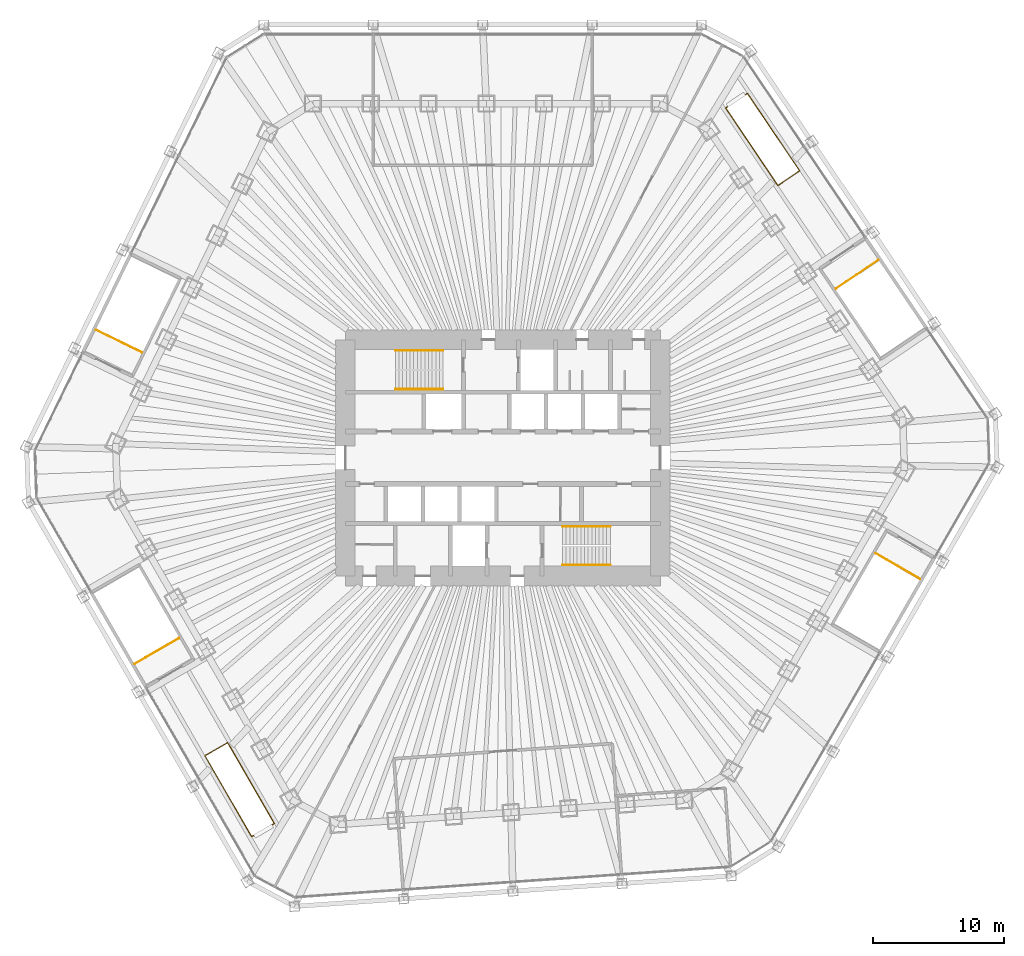
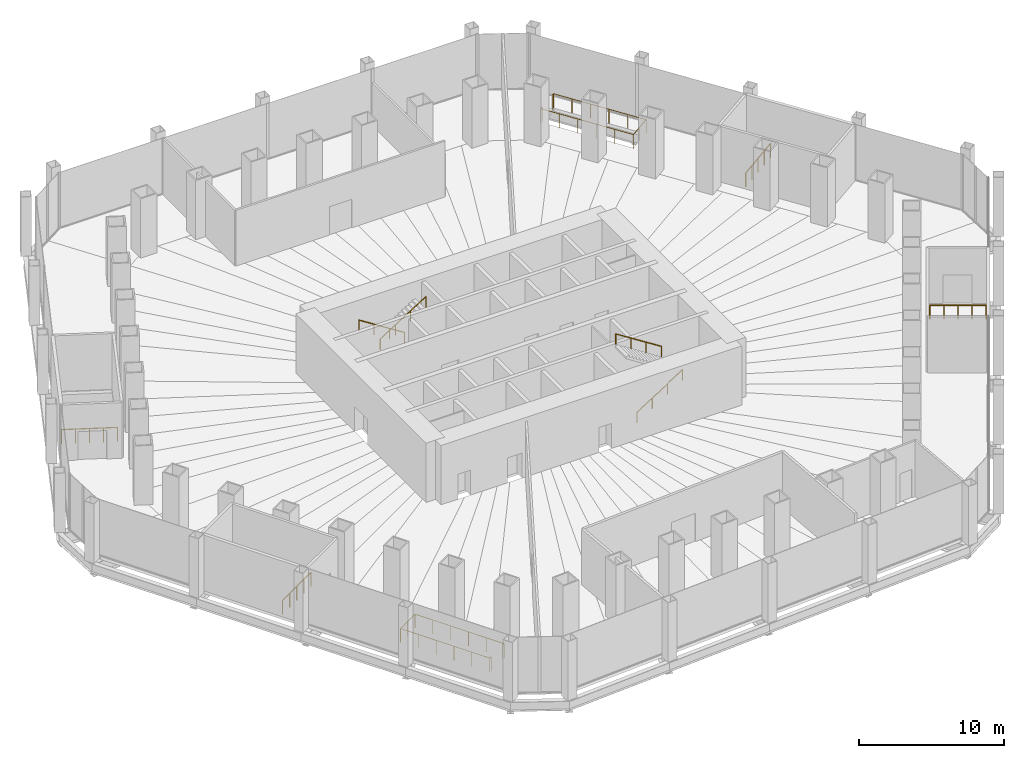
# One storey, part 18 of 18: 10 railings.
"""IFC4 building model written with IfcOpenShell, lengths in metres."""

from ifc_helpers import new_model, si_unit, direction, frame, origin, origin_2d, place, context, subcontext, project, spatial, circle, extrude, material, type_object, element, save


model = new_model("IFC4")

# Units and contexts
model_context = context("Model", 3, precision=1e-05, world=origin(), true_north=direction((0.0, 1.0)))
body_context = subcontext(model_context, "Body", "Model", "MODEL_VIEW")
ifc_project = project(units=[si_unit("LENGTHUNIT", "METRE"), si_unit("AREAUNIT", "SQUARE_METRE"), si_unit("VOLUMEUNIT", "CUBIC_METRE"), si_unit("PLANEANGLEUNIT", "RADIAN"), si_unit("MASSUNIT", "GRAM", prefix="KILO")], contexts=[model_context])

# Site, building, storey
site_placement = place(None, origin())
site = spatial("IfcSite", under=ifc_project, at=site_placement, CompositionType="ELEMENT")
building_placement = place(site_placement, origin())
building = spatial("IfcBuilding", under=site, at=building_placement, Name="Qingtian Harvest Tower", CompositionType="ELEMENT")
storey_placement = place(building_placement, frame((0.0, 0.0, 12.0)))
storey = spatial("IfcBuildingStorey", under=building, at=storey_placement, Name="L02", CompositionType="ELEMENT", Elevation=12.0)

# Railings
ifc_material_1 = material(Name="Laminated glass balustrade with steel handrail", Category="steel")
railing_type_1 = type_object("IfcRailingType", Name="Glass balustrade BG1 1200", PredefinedType="BALUSTRADE", material=ifc_material_1)
railing_1_placement = place(storey_placement, frame((17.15625, 26.771484375, 0.0)))
element("IfcRailing", 1, at=railing_1_placement, inside=storey, type_object=railing_type_1, Name="Feature stair opening guard FS3", PredefinedType="BALUSTRADE", context=body_context, shape_type="SweptSolid", body=[
    extrude(circle(Radius=0.02392578125, at=origin_2d()), frame((0.0, 0.0, 1.17578125), z_axis=(-0.829032638423, -0.559200218553, 0.0), x_axis=(0.559200218553, -0.829032638423, 0.0)), (0.0, 0.0, 1.0), 0.199951171875),
    extrude(circle(Radius=0.02392578125, at=origin_2d()), frame((-0.165771484375, -0.11181640625, 1.17578125), z_axis=(0.559185029686, -0.829042883435, 0.0), x_axis=(0.829042883435, 0.559185029686, 0.0)), (0.0, 0.0, 1.0), 7.110107421875),
    extrude(circle(Radius=0.02392578125, at=origin_2d()), frame((3.81005859375, -6.00634765625, 1.17578125), z_axis=(0.829052389485, 0.559170935841, 0.0), x_axis=(-0.559170935841, 0.829052389485, 0.0)), (0.0, 0.0, 1.0), 2.0),
    extrude(circle(Radius=0.02392578125, at=origin_2d()), frame((5.46826171875, -4.887939453125, 1.17578125), z_axis=(-0.559208629537, 0.829026964972, 0.0), x_axis=(-0.829026964972, -0.559208629537, 0.0)), (0.0, 0.0, 1.0), 7.110107421875),
    extrude(circle(Radius=0.02392578125, at=origin_2d()), frame((1.4921875, 1.006591796875, 1.17578125), z_axis=(-0.828466569006, -0.560038520138, 0.0), x_axis=(0.560038520138, -0.828466569006, 0.0)), (0.0, 0.0, 1.0), 0.2001953125),
    extrude(circle(Radius=0.02099609375, at=origin_2d()), origin(), (0.0, 0.0, 1.0), 1.15185546875),
    extrude(circle(Radius=0.02099609375, at=origin_2d()), frame((-0.165771484375, -0.11181640625, 0.0)), (0.0, 0.0, 1.0), 1.15185546875),
    extrude(circle(Radius=0.02099609375, at=origin_2d()), frame((0.62939453125, -1.290771484375, 0.0)), (0.0, 0.0, 1.0), 1.15185546875),
    extrude(circle(Radius=0.02099609375, at=origin_2d()), frame((1.424560546875, -2.4697265625, 0.0)), (0.0, 0.0, 1.0), 1.15185546875),
    extrude(circle(Radius=0.02099609375, at=origin_2d()), frame((2.2197265625, -3.6484375, 0.0)), (0.0, 0.0, 1.0), 1.15185546875),
    extrude(circle(Radius=0.02099609375, at=origin_2d()), frame((3.014892578125, -4.827392578125, 0.0)), (0.0, 0.0, 1.0), 1.15185546875),
    extrude(circle(Radius=0.02099609375, at=origin_2d()), frame((3.81005859375, -6.00634765625, 0.0)), (0.0, 0.0, 1.0), 1.15185546875),
    extrude(circle(Radius=0.02099609375, at=origin_2d()), frame((4.63916015625, -5.447265625, 0.0)), (0.0, 0.0, 1.0), 1.15185546875),
    extrude(circle(Radius=0.02099609375, at=origin_2d()), frame((5.46826171875, -4.887939453125, 0.0)), (0.0, 0.0, 1.0), 1.15185546875),
    extrude(circle(Radius=0.02099609375, at=origin_2d()), frame((4.673095703125, -3.708984375, 0.0)), (0.0, 0.0, 1.0), 1.15185546875),
    extrude(circle(Radius=0.02099609375, at=origin_2d()), frame((3.8779296875, -2.530029296875, 0.0)), (0.0, 0.0, 1.0), 1.15185546875),
    extrude(circle(Radius=0.02099609375, at=origin_2d()), frame((3.08251953125, -1.351318359375, 0.0)), (0.0, 0.0, 1.0), 1.15185546875),
    extrude(circle(Radius=0.02099609375, at=origin_2d()), frame((2.287353515625, -0.17236328125, 0.0)), (0.0, 0.0, 1.0), 1.15185546875),
    extrude(circle(Radius=0.02099609375, at=origin_2d()), frame((1.4921875, 1.006591796875, 0.0)), (0.0, 0.0, 1.0), 1.15185546875),
    extrude(circle(Radius=0.02099609375, at=origin_2d()), frame((1.326416015625, 0.89453125, 0.0)), (0.0, 0.0, 1.0), 1.15185546875),
])
railing_2_placement = place(storey_placement, frame((-17.59228515625, -27.9658203125, 0.0)))
element("IfcRailing", 2, at=railing_2_placement, inside=storey, type_object=railing_type_1, Name="Feature stair opening guard FS4", PredefinedType="BALUSTRADE", context=body_context, shape_type="SweptSolid", body=[
    extrude(circle(Radius=0.02392578125, at=origin_2d()), frame((0.0, 0.0, 1.17578125), z_axis=(0.866510491504, 0.499158860599, 0.0), x_axis=(-0.499158860599, 0.866510491504, 0.0)), (0.0, 0.0, 1.0), 0.199951171875),
    extrude(circle(Radius=0.02392578125, at=origin_2d()), frame((0.17333984375, 0.099853515625, 1.17578125), z_axis=(-0.499990956993, 0.866030624704, 0.0), x_axis=(-0.866030624704, -0.499990956993, 0.0)), (0.0, 0.0, 1.0), 7.110107421875),
    extrude(circle(Radius=0.02392578125, at=origin_2d()), frame((-3.381591796875, 6.25732421875, 1.17578125), z_axis=(-0.866041268327, -0.499972520799, 0.0), x_axis=(0.499972520799, -0.866041268327, 0.0)), (0.0, 0.0, 1.0), 2.0),
    extrude(circle(Radius=0.02392578125, at=origin_2d()), frame((-5.11376953125, 5.25732421875, 1.17578125), z_axis=(0.499990956993, -0.866030624704, 0.0), x_axis=(0.866030624704, 0.499990956993, 0.0)), (0.0, 0.0, 1.0), 7.110107421875),
    extrude(circle(Radius=0.02392578125, at=origin_2d()), frame((-1.558837890625, -0.900146484375, 1.17578125), z_axis=(0.865982457891, 0.500074377092, 0.0), x_axis=(-0.500074377092, 0.865982457891, 0.0)), (0.0, 0.0, 1.0), 0.2001953125),
    extrude(circle(Radius=0.02099609375, at=origin_2d()), origin(), (0.0, 0.0, 1.0), 1.15185546875),
    extrude(circle(Radius=0.02099609375, at=origin_2d()), frame((0.17333984375, 0.099853515625, 0.0)), (0.0, 0.0, 1.0), 1.15185546875),
    extrude(circle(Radius=0.02099609375, at=origin_2d()), frame((-0.53759765625, 1.331298828125, 0.0)), (0.0, 0.0, 1.0), 1.15185546875),
    extrude(circle(Radius=0.02099609375, at=origin_2d()), frame((-1.24853515625, 2.562744140625, 0.0)), (0.0, 0.0, 1.0), 1.15185546875),
    extrude(circle(Radius=0.02099609375, at=origin_2d()), frame((-1.959716796875, 3.79443359375, 0.0)), (0.0, 0.0, 1.0), 1.15185546875),
    extrude(circle(Radius=0.02099609375, at=origin_2d()), frame((-2.670654296875, 5.02587890625, 0.0)), (0.0, 0.0, 1.0), 1.15185546875),
    extrude(circle(Radius=0.02099609375, at=origin_2d()), frame((-3.381591796875, 6.25732421875, 0.0)), (0.0, 0.0, 1.0), 1.15185546875),
    extrude(circle(Radius=0.02099609375, at=origin_2d()), frame((-4.24755859375, 5.75732421875, 0.0)), (0.0, 0.0, 1.0), 1.15185546875),
    extrude(circle(Radius=0.02099609375, at=origin_2d()), frame((-5.11376953125, 5.25732421875, 0.0)), (0.0, 0.0, 1.0), 1.15185546875),
    extrude(circle(Radius=0.02099609375, at=origin_2d()), frame((-4.40283203125, 4.02587890625, 0.0)), (0.0, 0.0, 1.0), 1.15185546875),
    extrude(circle(Radius=0.02099609375, at=origin_2d()), frame((-3.69189453125, 2.79443359375, 0.0)), (0.0, 0.0, 1.0), 1.15185546875),
    extrude(circle(Radius=0.02099609375, at=origin_2d()), frame((-2.980712890625, 1.562744140625, 0.0)), (0.0, 0.0, 1.0), 1.15185546875),
    extrude(circle(Radius=0.02099609375, at=origin_2d()), frame((-2.269775390625, 0.331298828125, 0.0)), (0.0, 0.0, 1.0), 1.15185546875),
    extrude(circle(Radius=0.02099609375, at=origin_2d()), frame((-1.558837890625, -0.900146484375, 0.0)), (0.0, 0.0, 1.0), 1.15185546875),
    extrude(circle(Radius=0.02099609375, at=origin_2d()), frame((-1.385498046875, -0.800048828125, 0.0)), (0.0, 0.0, 1.0), 1.15185546875),
])
ifc_material_2 = material(Name="Bronze-finished steel guard", Category="steel")
railing_type_2 = type_object("IfcRailingType", Name="Guard GR1 1200", PredefinedType="GUARDRAIL", material=ifc_material_2)
railing_3_placement = place(storey_placement, frame((28.61474609375, 15.070556640625, 0.0)))
element("IfcRailing", 3, at=railing_3_placement, inside=storey, type_object=railing_type_2, Name="Guard GR1 L02", PredefinedType="GUARDRAIL", context=body_context, shape_type="SweptSolid", body=[
    extrude(circle(Radius=0.02392578125, at=origin_2d()), frame((0.0, 0.0, 1.17578125), z_axis=(-0.829023534375, -0.559213715365, 0.0), x_axis=(0.559213715365, -0.829023534375, 0.0)), (0.0, 0.0, 1.0), 3.89990234375),
    extrude(circle(Radius=0.02099609375, at=origin_2d()), origin(), (0.0, 0.0, 1.0), 1.15185546875),
    extrude(circle(Radius=0.02099609375, at=origin_2d()), frame((-0.808349609375, -0.545166015625, 0.0)), (0.0, 0.0, 1.0), 1.15185546875),
    extrude(circle(Radius=0.02099609375, at=origin_2d()), frame((-1.61669921875, -1.09033203125, 0.0)), (0.0, 0.0, 1.0), 1.15185546875),
    extrude(circle(Radius=0.02099609375, at=origin_2d()), frame((-2.4248046875, -1.6357421875, 0.0)), (0.0, 0.0, 1.0), 1.15185546875),
    extrude(circle(Radius=0.02099609375, at=origin_2d()), frame((-3.233154296875, -2.180908203125, 0.0)), (0.0, 0.0, 1.0), 1.15185546875),
])
railing_4_placement = place(storey_placement, frame((31.797119140625, -9.2255859375, 0.0)))
element("IfcRailing", 4, at=railing_4_placement, inside=storey, type_object=railing_type_2, Name="Guard GR1 L02", PredefinedType="GUARDRAIL", context=body_context, shape_type="SweptSolid", body=[
    extrude(circle(Radius=0.02392578125, at=origin_2d()), frame((0.0, 0.0, 1.17578125), z_axis=(-0.866027128446, 0.499997012787, 0.0), x_axis=(-0.499997012787, -0.866027128446, 0.0)), (0.0, 0.0, 1.0), 3.89990234375),
    extrude(circle(Radius=0.02099609375, at=origin_2d()), origin(), (0.0, 0.0, 1.0), 1.15185546875),
    extrude(circle(Radius=0.02099609375, at=origin_2d()), frame((-0.84423828125, 0.487548828125, 0.0)), (0.0, 0.0, 1.0), 1.15185546875),
    extrude(circle(Radius=0.02099609375, at=origin_2d()), frame((-1.688720703125, 0.97509765625, 0.0)), (0.0, 0.0, 1.0), 1.15185546875),
    extrude(circle(Radius=0.02099609375, at=origin_2d()), frame((-2.533203125, 1.46240234375, 0.0)), (0.0, 0.0, 1.0), 1.15185546875),
    extrude(circle(Radius=0.02099609375, at=origin_2d()), frame((-3.37744140625, 1.949951171875, 0.0)), (0.0, 0.0, 1.0), 1.15185546875),
])
railing_5_placement = place(storey_placement, frame((-28.05908203125, -15.7001953125, 0.0)))
element("IfcRailing", 5, at=railing_5_placement, inside=storey, type_object=railing_type_2, Name="Guard GR1 L02", PredefinedType="GUARDRAIL", context=body_context, shape_type="SweptSolid", body=[
    extrude(circle(Radius=0.02392578125, at=origin_2d()), frame((0.0, 0.0, 1.17578125), z_axis=(0.866027128446, 0.499997012787, 0.0), x_axis=(-0.499997012787, 0.866027128446, 0.0)), (0.0, 0.0, 1.0), 3.89990234375),
    extrude(circle(Radius=0.02099609375, at=origin_2d()), origin(), (0.0, 0.0, 1.0), 1.15185546875),
    extrude(circle(Radius=0.02099609375, at=origin_2d()), frame((0.84423828125, 0.487548828125, 0.0)), (0.0, 0.0, 1.0), 1.15185546875),
    extrude(circle(Radius=0.02099609375, at=origin_2d()), frame((1.688720703125, 0.97509765625, 0.0)), (0.0, 0.0, 1.0), 1.15185546875),
    extrude(circle(Radius=0.02099609375, at=origin_2d()), frame((2.533203125, 1.46240234375, 0.0)), (0.0, 0.0, 1.0), 1.15185546875),
    extrude(circle(Radius=0.02099609375, at=origin_2d()), frame((3.37744140625, 1.949951171875, 0.0)), (0.0, 0.0, 1.0), 1.15185546875),
])
railing_6_placement = place(storey_placement, frame((-31.015625, 9.748291015625, 0.0)))
element("IfcRailing", 6, at=railing_6_placement, inside=storey, type_object=railing_type_2, Name="Guard GR1 L02", PredefinedType="GUARDRAIL", context=body_context, shape_type="SweptSolid", body=[
    extrude(circle(Radius=0.02392578125, at=origin_2d()), frame((0.0, 0.0, 1.17578125), z_axis=(0.898790704439, -0.438377998551, 0.0), x_axis=(0.438377998551, 0.898790704439, 0.0)), (0.0, 0.0, 1.0), 3.900146484375),
    extrude(circle(Radius=0.02099609375, at=origin_2d()), origin(), (0.0, 0.0, 1.0), 1.15185546875),
    extrude(circle(Radius=0.02099609375, at=origin_2d()), frame((0.87646484375, -0.427490234375, 0.0)), (0.0, 0.0, 1.0), 1.15185546875),
    extrude(circle(Radius=0.02099609375, at=origin_2d()), frame((1.752685546875, -0.85498046875, 0.0)), (0.0, 0.0, 1.0), 1.15185546875),
    extrude(circle(Radius=0.02099609375, at=origin_2d()), frame((2.62890625, -1.2822265625, 0.0)), (0.0, 0.0, 1.0), 1.15185546875),
    extrude(circle(Radius=0.02099609375, at=origin_2d()), frame((3.50537109375, -1.709716796875, 0.0)), (0.0, 0.0, 1.0), 1.15185546875),
])
ifc_material_3 = material(Name="Stainless steel handrail", Category="steel")
railing_type_3 = type_object("IfcRailingType", Name="Handrail HR1", PredefinedType="HANDRAIL", material=ifc_material_3)
railing_7_placement = place(storey_placement, frame((-4.550048828125, 8.169921875, 0.178466796875)))
element("IfcRailing", 7, at=railing_7_placement, inside=storey, type_object=railing_type_3, Name="Handrail HR1 S1 flight 1", PredefinedType="HANDRAIL", context=body_context, shape_type="SweptSolid", body=[
    extrude(circle(Radius=0.02392578125, at=origin_2d()), frame((0.0, 0.0, 0.8759765625), z_axis=(-0.843111507901, 0.0, 0.53773877045), x_axis=(0.0, -1.0, 0.0)), (0.0, 0.0, 1.0), 4.317138671875),
    extrude(circle(Radius=0.02099609375, at=origin_2d()), origin(), (0.0, 0.0, 1.0), 0.851806640625),
    extrude(circle(Radius=0.02099609375, at=origin_2d()), frame((-1.21337890625, 0.0, 0.77392578125)), (0.0, 0.0, 1.0), 0.851806640625),
    extrude(circle(Radius=0.02099609375, at=origin_2d()), frame((-2.426513671875, 0.0, 1.547607421875)), (0.0, 0.0, 1.0), 0.851806640625),
    extrude(circle(Radius=0.02099609375, at=origin_2d()), frame((-3.639892578125, 0.0, 2.321533203125)), (0.0, 0.0, 1.0), 0.851806640625),
])
for number, where, name in (
    (8, (-8.18994140625, 5.22998046875, 2.678466796875), "Handrail HR1 S1 flight 2"),
    (9, (4.550048828125, -8.169921875, 0.178466796875), "Handrail HR1 S2 flight 1"),
):
    element("IfcRailing", number, at=place(storey_placement, frame(where)), inside=storey, type_object=railing_type_3, Name=name, PredefinedType="HANDRAIL", context=body_context, shape_type="SweptSolid", body=[
        extrude(circle(Radius=0.02392578125, at=origin_2d()), frame((0.0, 0.0, 0.8759765625), z_axis=(0.843111507901, 0.0, 0.53773877045), x_axis=(0.0, 1.0, 0.0)), (0.0, 0.0, 1.0), 4.317138671875),
        extrude(circle(Radius=0.02099609375, at=origin_2d()), origin(), (0.0, 0.0, 1.0), 0.851806640625),
        extrude(circle(Radius=0.02099609375, at=origin_2d()), frame((1.21337890625, 0.0, 0.77392578125)), (0.0, 0.0, 1.0), 0.851806640625),
        extrude(circle(Radius=0.02099609375, at=origin_2d()), frame((2.426513671875, 0.0, 1.547607421875)), (0.0, 0.0, 1.0), 0.851806640625),
        extrude(circle(Radius=0.02099609375, at=origin_2d()), frame((3.639892578125, 0.0, 2.321533203125)), (0.0, 0.0, 1.0), 0.851806640625),
    ])
railing_8_placement = place(storey_placement, frame((8.18994140625, -5.22998046875, 2.678466796875)))
element("IfcRailing", 10, at=railing_8_placement, inside=storey, type_object=railing_type_3, Name="Handrail HR1 S2 flight 2", PredefinedType="HANDRAIL", context=body_context, shape_type="SweptSolid", body=[
    extrude(circle(Radius=0.02392578125, at=origin_2d()), frame((0.0, 0.0, 0.8759765625), z_axis=(-0.843111507901, 0.0, 0.53773877045), x_axis=(0.0, -1.0, 0.0)), (0.0, 0.0, 1.0), 4.317138671875),
    extrude(circle(Radius=0.02099609375, at=origin_2d()), origin(), (0.0, 0.0, 1.0), 0.851806640625),
    extrude(circle(Radius=0.02099609375, at=origin_2d()), frame((-1.21337890625, 0.0, 0.77392578125)), (0.0, 0.0, 1.0), 0.851806640625),
    extrude(circle(Radius=0.02099609375, at=origin_2d()), frame((-2.426513671875, 0.0, 1.547607421875)), (0.0, 0.0, 1.0), 0.851806640625),
    extrude(circle(Radius=0.02099609375, at=origin_2d()), frame((-3.639892578125, 0.0, 2.321533203125)), (0.0, 0.0, 1.0), 0.851806640625),
])

save(model, "model.ifc")
